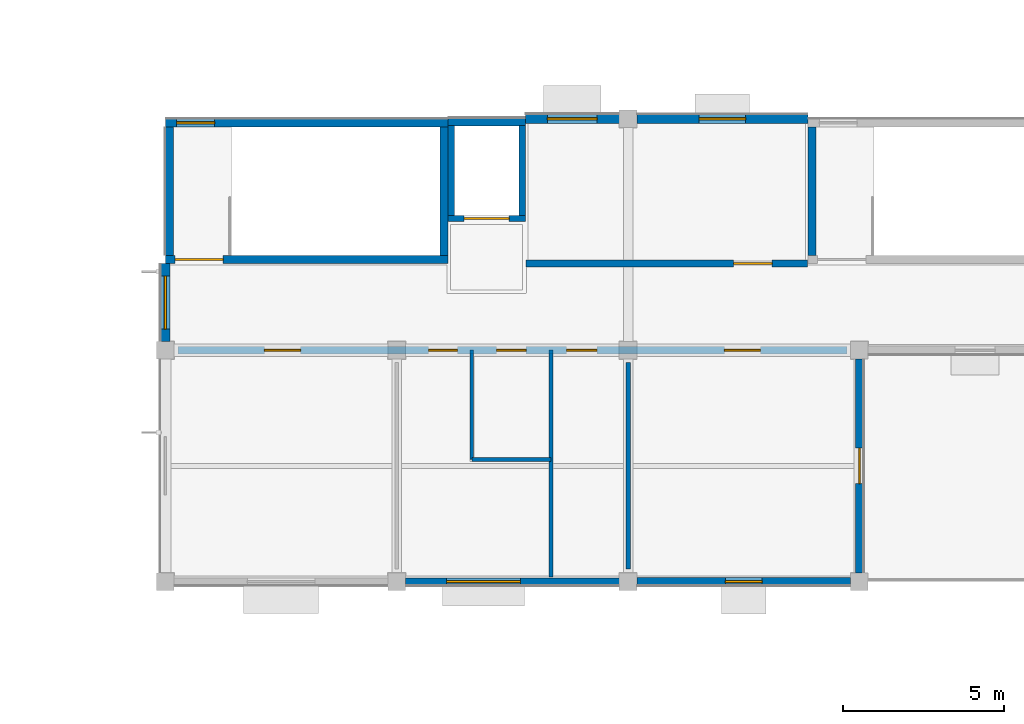
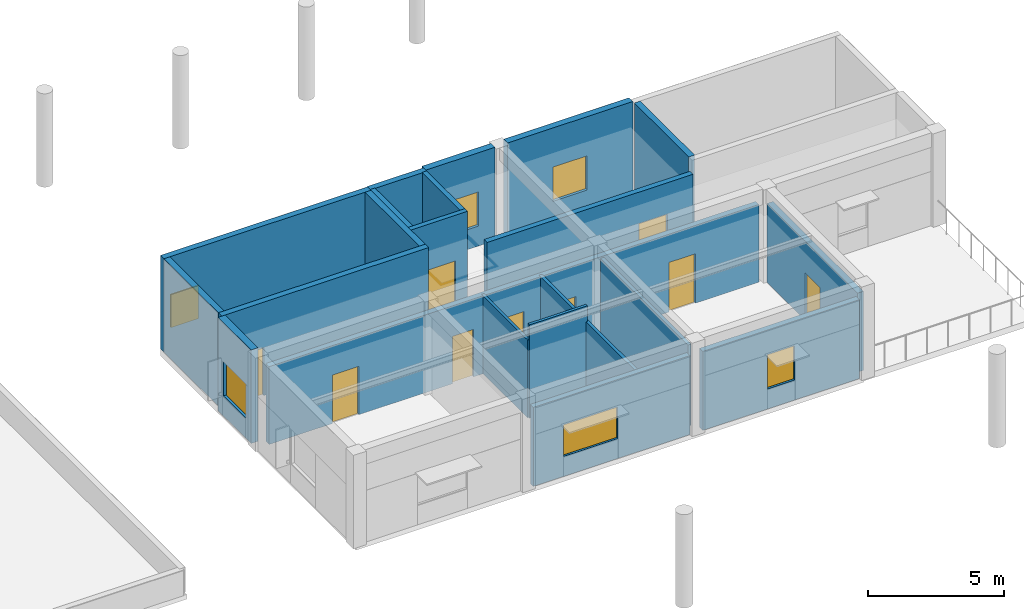
# One storey, part 12 of 29: 21 walls, 9 doors, 6 windows, 15 openings.
"""IFC4 building model written with IfcOpenShell, lengths in metres."""

from ifc_helpers import new_model, si_unit, direction, frame, frame_2d, origin, place, context, subcontext, project, spatial, rectangle, extrude, material, layer, layer_set, type_object, element, fill, save


model = new_model("IFC4")

# Units and contexts
model_context = context("Model", 3, precision=1e-05, world=origin(), true_north=direction((0.0, 1.0)))
body_context = subcontext(model_context, "Body", "Model", "MODEL_VIEW")
ifc_project = project(units=[si_unit("LENGTHUNIT", "METRE"), si_unit("AREAUNIT", "SQUARE_METRE"), si_unit("VOLUMEUNIT", "CUBIC_METRE"), si_unit("PLANEANGLEUNIT", "RADIAN"), si_unit("MASSUNIT", "GRAM", prefix="KILO")], contexts=[model_context])

# Site, building, storey
site_placement = place(None, origin())
site = spatial("IfcSite", under=ifc_project, at=site_placement, CompositionType="ELEMENT")
building_placement = place(site_placement, origin())
building = spatial("IfcBuilding", under=site, at=building_placement, Name="Namkhue Oval Health Centre", CompositionType="ELEMENT")
storey_placement = place(building_placement, frame((0.0, 0.0, 18.0)))
storey = spatial("IfcBuildingStorey", under=building, at=storey_placement, Name="L04", CompositionType="ELEMENT", Elevation=18.0)

# Wall, opening, window
ifc_material_1 = material(Name="Autoclaved aerated concrete blockwork M7.5", Category="masonry")
ifc_layer_1 = layer(ifc_material_1, 0.22998046875)
ifc_layer_set_1 = layer_set([ifc_layer_1], Name="Autoclaved aerated concrete blockwork M7.5")
wall_type_1 = type_object("IfcWallType", Name="EXTERIOR ENVELOPE WALL 230", PredefinedType="STANDARD", material=ifc_layer_set_1)
wall_1_placement = place(storey_placement, frame((101.071044921875, 14.39990234375, 0.0), z_axis=(0.0, 0.0, 1.0), x_axis=(1.0, 0.0, 0.0)))
wall_1 = element("IfcWall", 1, at=wall_1_placement, inside=storey, type_object=wall_type_1, Name="Volume V5 L04 Exterior Envelope Wall 150", PredefinedType="STANDARD", context=body_context, shape_type="SweptSolid", body=[
    extrude(rectangle(XDim=6.657958984375, YDim=0.22998046875, at=frame_2d((3.3291015625, 0.0))), origin(), (0.0, 0.0, 1.0), 3.550048828125),
])
opening_1_placement = place(wall_1_placement, frame((1.279052734375, 0.0, 0.89990234375)))
opening_1 = element("IfcOpeningElement", 2, at=opening_1_placement, cuts=wall_1, Name="Opening WN-20", PredefinedType="OPENING", context=body_context, shape_type="SweptSolid", body=[
    extrude(rectangle(XDim=2.300048828125, YDim=1.419921875, at=frame_2d((1.14990234375, 0.7099609375))), frame((0.0, 0.125, 0.0), z_axis=(0.0, -1.0, 0.0), x_axis=(1.0, 0.0, 0.0)), (0.0, 0.0, 1.0), 0.25),
])
ifc_material_2 = material(Name="Thermally broken low-E laminated double glazing", Category="glass")
window_type_1 = type_object("IfcWindowType", Name="EXTERIOR WINDOW 2300X1420", PartitioningType="SINGLE_PANEL", PredefinedType="WINDOW", material=ifc_material_2)
window_1_placement = place(opening_1_placement, origin())
window_1 = element("IfcWindow", 3, at=window_1_placement, inside=storey, type_object=window_type_1, Name="Volume V5 L04 Exterior Window 110", OverallHeight=1.419921875, OverallWidth=2.300048828125, PartitioningType="SINGLE_PANEL", PredefinedType="WINDOW", context=body_context, shape_type="SweptSolid", body=[
    extrude(rectangle(XDim=2.300048828125, YDim=1.419921875, at=frame_2d((1.14990234375, 0.7099609375))), frame((0.0, 0.030029296875, 0.0), z_axis=(0.0, -1.0, 0.0), x_axis=(1.0, 0.0, 0.0)), (0.0, 0.0, 1.0), 0.06005859375),
])
fill(opening_1, window_1)

ifc_layer_2 = layer(ifc_material_1, 0.239990234375)
ifc_layer_set_2 = layer_set([ifc_layer_2], Name="Autoclaved aerated concrete blockwork M7.5")
wall_type_2 = type_object("IfcWallType", Name="EXTERIOR ENVELOPE WALL 240", PredefinedType="STANDARD", material=ifc_layer_set_2)
wall_2_placement = place(storey_placement, frame((108.27099609375, 14.39990234375, 0.0), z_axis=(0.0, 0.0, 1.0), x_axis=(1.0, 0.0, 0.0)))
wall_2 = element("IfcWall", 4, at=wall_2_placement, inside=storey, type_object=wall_type_2, Name="Volume V5 L04 Exterior Envelope Wall 151", PredefinedType="STANDARD", context=body_context, shape_type="SweptSolid", body=[
    extrude(rectangle(XDim=6.657958984375, YDim=0.239990234375, at=frame_2d((3.3291015625, 0.0))), origin(), (0.0, 0.0, 1.0), 3.550048828125),
])
opening_2_placement = place(wall_2_placement, frame((2.75390625, 0.0, 0.89990234375)))
opening_2 = element("IfcOpeningElement", 5, at=opening_2_placement, cuts=wall_2, Name="Opening WN-21", PredefinedType="OPENING", context=body_context, shape_type="SweptSolid", body=[
    extrude(rectangle(XDim=1.14990234375, YDim=1.5400390625, at=frame_2d((0.574951171875, 0.77001953125))), frame((0.0, 0.1298828125, 0.0), z_axis=(0.0, -1.0, 0.0), x_axis=(1.0, 0.0, 0.0)), (0.0, 0.0, 1.0), 0.260009765625),
])
window_type_2 = type_object("IfcWindowType", Name="EXTERIOR WINDOW 1150X1540", PartitioningType="SINGLE_PANEL", PredefinedType="WINDOW", material=ifc_material_2)
window_2_placement = place(opening_2_placement, origin())
window_2 = element("IfcWindow", 6, at=window_2_placement, inside=storey, type_object=window_type_2, Name="Volume V5 L04 Exterior Window 111", OverallHeight=1.5400390625, OverallWidth=1.14990234375, PartitioningType="SINGLE_PANEL", PredefinedType="WINDOW", context=body_context, shape_type="SweptSolid", body=[
    extrude(rectangle(XDim=1.14990234375, YDim=1.5400390625, at=frame_2d((0.574951171875, 0.77001953125))), frame((0.0, 0.030029296875, 0.0), z_axis=(0.0, -1.0, 0.0), x_axis=(1.0, 0.0, 0.0)), (0.0, 0.0, 1.0), 0.06005859375),
])
fill(opening_2, window_2)

# Wall, opening, door
ifc_layer_3 = layer(ifc_material_1, 0.25)
ifc_layer_set_3 = layer_set([ifc_layer_3], Name="Autoclaved aerated concrete blockwork M7.5")
wall_type_3 = type_object("IfcWallType", Name="EXTERIOR ENVELOPE WALL 250", PredefinedType="STANDARD", material=ifc_layer_set_3)
wall_3_placement = place(storey_placement, frame((115.199951171875, 14.6708984375, 0.0), z_axis=(0.0, 0.0, 1.0), x_axis=(0.0, 1.0, 0.0)))
wall_3 = element("IfcWall", 7, at=wall_3_placement, inside=storey, type_object=wall_type_3, Name="Volume V5 L04 Exterior Envelope Wall 152", PredefinedType="STANDARD", context=body_context, shape_type="SweptSolid", body=[
    extrude(rectangle(XDim=6.658203125, YDim=0.25, at=frame_2d((3.3291015625, 0.0))), origin(), (0.0, 0.0, 1.0), 3.550048828125),
])
opening_3_placement = place(wall_3_placement, frame((2.779052734375, 0.0, 0.0)))
opening_3 = element("IfcOpeningElement", 8, at=opening_3_placement, cuts=wall_3, Name="Opening TD-06", PredefinedType="OPENING", context=body_context, shape_type="SweptSolid", body=[
    extrude(rectangle(XDim=1.10009765625, YDim=2.1201171875, at=frame_2d((0.550048828125, 1.06005859375))), frame((0.0, 0.135009765625, 0.0), z_axis=(0.0, -1.0, 0.0), x_axis=(1.0, 0.0, 0.0)), (0.0, 0.0, 1.0), 0.27001953125),
])
ifc_material_3 = material(Name="Anodised aluminium glazed entrance door", Category="aluminium")
door_type_1 = type_object("IfcDoorType", Name="TERRACE DOOR 1100X2120", OperationType="NOTDEFINED", PredefinedType="DOOR", material=ifc_material_3)
door_1_placement = place(opening_3_placement, frame((1.10009765625, 0.0, 0.0), z_axis=(0.0, 0.0, 1.0), x_axis=(-1.0, 0.0, 0.0)))
door_1 = element("IfcDoor", 9, at=door_1_placement, inside=storey, type_object=door_type_1, Name="Volume V5 L04 Roof Terrace Door 13", OperationType="SINGLE_SWING_RIGHT", OverallHeight=2.1201171875, OverallWidth=1.10009765625, PredefinedType="DOOR", context=body_context, shape_type="SweptSolid", body=[
    extrude(rectangle(XDim=1.10009765625, YDim=2.1201171875, at=frame_2d((0.550048828125, 1.06005859375))), frame((0.0, 0.02490234375, 0.0), z_axis=(0.0, -1.0, 0.0), x_axis=(1.0, 0.0, 0.0)), (0.0, 0.0, 1.0), 0.050048828125),
])
fill(opening_3, door_1)

# Wall, opening, window
ifc_layer_4 = layer(ifc_material_1, 0.280029296875)
ifc_layer_set_4 = layer_set([ifc_layer_4], Name="Autoclaved aerated concrete blockwork M7.5")
wall_type_4 = type_object("IfcWallType", Name="EXTERIOR ENVELOPE WALL 280", PredefinedType="STANDARD", material=ifc_layer_set_4)
wall_4_placement = place(storey_placement, frame((113.597900390625, 28.800048828125, 0.0), z_axis=(0.0, 0.0, 1.0), x_axis=(-1.0, 0.0, 0.0)))
wall_4 = element("IfcWall", 10, at=wall_4_placement, inside=storey, type_object=wall_type_4, Name="Volume V5 L04 Exterior Envelope Wall 155", PredefinedType="STANDARD", context=body_context, shape_type="SweptSolid", body=[
    extrude(rectangle(XDim=5.326904296875, YDim=0.280029296875, at=frame_2d((2.66357421875, 0.0))), origin(), (0.0, 0.0, 1.0), 4.199951171875),
])
opening_4_placement = place(wall_4_placement, frame((1.9384765625, 0.0, 0.89990234375)))
opening_4 = element("IfcOpeningElement", 11, at=opening_4_placement, cuts=wall_4, Name="Opening WN-24", PredefinedType="OPENING", context=body_context, shape_type="SweptSolid", body=[
    extrude(rectangle(XDim=1.449951171875, YDim=1.5400390625, at=frame_2d((0.72509765625, 0.77001953125))), frame((0.0, 0.14990234375, 0.0), z_axis=(0.0, -1.0, 0.0), x_axis=(1.0, 0.0, 0.0)), (0.0, 0.0, 1.0), 0.300048828125),
])
window_type_3 = type_object("IfcWindowType", Name="EXTERIOR WINDOW 1450X1540", PartitioningType="SINGLE_PANEL", PredefinedType="WINDOW", material=ifc_material_2)
window_3_placement = place(opening_4_placement, origin())
window_3 = element("IfcWindow", 12, at=window_3_placement, inside=storey, type_object=window_type_3, Name="Volume V5 L04 Exterior Window 114", OverallHeight=1.5400390625, OverallWidth=1.449951171875, PartitioningType="SINGLE_PANEL", PredefinedType="WINDOW", context=body_context, shape_type="SweptSolid", body=[
    extrude(rectangle(XDim=1.449951171875, YDim=1.5400390625, at=frame_2d((0.72509765625, 0.77001953125))), frame((0.0, 0.030029296875, 0.0), z_axis=(0.0, -1.0, 0.0), x_axis=(1.0, 0.0, 0.0)), (0.0, 0.0, 1.0), 0.06005859375),
])
fill(opening_4, window_3)

ifc_layer_5 = layer(ifc_material_1, 0.2900390625)
ifc_layer_set_5 = layer_set([ifc_layer_5], Name="Autoclaved aerated concrete blockwork M7.5")
wall_type_5 = type_object("IfcWallType", Name="EXTERIOR ENVELOPE WALL 290", PredefinedType="STANDARD", material=ifc_layer_set_5)
wall_5_placement = place(storey_placement, frame((107.72900390625, 28.800048828125, 0.0), z_axis=(0.0, 0.0, 1.0), x_axis=(-1.0, 0.0, 0.0)))
wall_5 = element("IfcWall", 13, at=wall_5_placement, inside=storey, type_object=wall_type_5, Name="Volume V5 L04 Exterior Envelope Wall 156", PredefinedType="STANDARD", context=body_context, shape_type="SweptSolid", body=[
    extrude(rectangle(XDim=2.927001953125, YDim=0.2900390625, at=frame_2d((1.46337890625, 0.0))), origin(), (0.0, 0.0, 1.0), 4.199951171875),
])
opening_5_placement = place(wall_5_placement, frame((0.6884765625, 0.0, 0.89990234375)))
opening_5 = element("IfcOpeningElement", 14, at=opening_5_placement, cuts=wall_5, Name="Opening WN-25", PredefinedType="OPENING", context=body_context, shape_type="SweptSolid", body=[
    extrude(rectangle(XDim=1.550048828125, YDim=1.5400390625, at=frame_2d((0.77490234375, 0.77001953125))), frame((0.0, 0.155029296875, 0.0), z_axis=(0.0, -1.0, 0.0), x_axis=(1.0, 0.0, 0.0)), (0.0, 0.0, 1.0), 0.31005859375),
])
window_type_4 = type_object("IfcWindowType", Name="EXTERIOR WINDOW 1550X1540", PartitioningType="SINGLE_PANEL", PredefinedType="WINDOW", material=ifc_material_2)
window_4_placement = place(opening_5_placement, origin())
window_4 = element("IfcWindow", 15, at=window_4_placement, inside=storey, type_object=window_type_4, Name="Volume V5 L04 Exterior Window 115", OverallHeight=1.5400390625, OverallWidth=1.550048828125, PartitioningType="SINGLE_PANEL", PredefinedType="WINDOW", context=body_context, shape_type="SweptSolid", body=[
    extrude(rectangle(XDim=1.550048828125, YDim=1.5400390625, at=frame_2d((0.77490234375, 0.77001953125))), frame((0.0, 0.030029296875, 0.0), z_axis=(0.0, -1.0, 0.0), x_axis=(1.0, 0.0, 0.0)), (0.0, 0.0, 1.0), 0.06005859375),
])
fill(opening_5, window_4)

ifc_layer_6 = layer(ifc_material_1, 0.300048828125)
ifc_layer_set_6 = layer_set([ifc_layer_6], Name="Autoclaved aerated concrete blockwork M7.5")
wall_type_6 = type_object("IfcWallType", Name="EXTERIOR ENVELOPE WALL 300", PredefinedType="STANDARD", material=ifc_layer_set_6)
wall_6_placement = place(storey_placement, frame((93.60009765625, 24.298095703125, 0.0), z_axis=(0.0, 0.0, 1.0), x_axis=(0.0, -1.0, 0.0)))
wall_6 = element("IfcWall", 16, at=wall_6_placement, inside=storey, type_object=wall_type_6, Name="Volume V5 L04 Exterior Envelope Wall 157", PredefinedType="STANDARD", context=body_context, shape_type="SweptSolid", body=[
    extrude(rectangle(XDim=2.427001953125, YDim=0.300048828125, at=frame_2d((1.21337890625, 0.0))), origin(), (0.0, 0.0, 1.0), 4.199951171875),
])
opening_6_placement = place(wall_6_placement, frame((0.388427734375, 0.0, 0.89990234375)))
opening_6 = element("IfcOpeningElement", 17, at=opening_6_placement, cuts=wall_6, Name="Opening WN-26", PredefinedType="OPENING", context=body_context, shape_type="SweptSolid", body=[
    extrude(rectangle(XDim=1.64990234375, YDim=1.5400390625, at=frame_2d((0.824951171875, 0.77001953125))), frame((0.0, 0.159912109375, 0.0), z_axis=(0.0, -1.0, 0.0), x_axis=(1.0, 0.0, 0.0)), (0.0, 0.0, 1.0), 0.320068359375),
])
window_type_5 = type_object("IfcWindowType", Name="EXTERIOR WINDOW 1650X1540", PartitioningType="SINGLE_PANEL", PredefinedType="WINDOW", material=ifc_material_2)
window_5_placement = place(opening_6_placement, origin())
window_5 = element("IfcWindow", 18, at=window_5_placement, inside=storey, type_object=window_type_5, Name="Volume V5 L04 Exterior Window 116", OverallHeight=1.5400390625, OverallWidth=1.64990234375, PartitioningType="SINGLE_PANEL", PredefinedType="WINDOW", context=body_context, shape_type="SweptSolid", body=[
    extrude(rectangle(XDim=1.64990234375, YDim=1.5400390625, at=frame_2d((0.824951171875, 0.77001953125))), frame((0.0, 0.030029296875, 0.0), z_axis=(0.0, -1.0, 0.0), x_axis=(1.0, 0.0, 0.0)), (0.0, 0.0, 1.0), 0.06005859375),
])
fill(opening_6, window_5)

# Wall, opening, door
ifc_material_4 = material(Name="Lead-lined barium plasterboard radiation partition", Category="gypsum")
ifc_layer_7 = layer(ifc_material_4, 0.22509765625)
ifc_layer_set_7 = layer_set([ifc_layer_7], Name="Lead-lined barium plasterboard radiation partition")
wall_type_7 = type_object("IfcWallType", Name="FIRE PARTITION WALL 225", PredefinedType="PARTITIONING", material=ifc_layer_set_7)
wall_7_placement = place(storey_placement, frame((104.820068359375, 24.300048828125, 0.0), z_axis=(0.0, 0.0, 1.0), x_axis=(1.0, 0.0, 0.0)))
wall_7 = element("IfcWall", 19, at=wall_7_placement, inside=storey, type_object=wall_type_7, Name="Volume V5 L04 Clinical Partition Wall 251", PredefinedType="PARTITIONING", context=body_context, shape_type="SweptSolid", body=[
    extrude(rectangle(XDim=8.760009765625, YDim=0.22509765625, at=frame_2d((4.3798828125, 0.0))), origin(), (0.0, 0.0, 1.0), 3.64990234375),
])
opening_7_placement = place(wall_7_placement, frame((6.465087890625, 0.0, 0.0)))
opening_7 = element("IfcOpeningElement", 20, at=opening_7_placement, cuts=wall_7, Name="Opening CD-22", PredefinedType="OPENING", context=body_context, shape_type="SweptSolid", body=[
    extrude(rectangle(XDim=1.199951171875, YDim=2.22998046875, at=frame_2d((0.60009765625, 1.114990234375))), frame((0.0, 0.12255859375, 0.0), z_axis=(0.0, -1.0, 0.0), x_axis=(1.0, 0.0, 0.0)), (0.0, 0.0, 1.0), 0.2451171875),
])
ifc_material_5 = material(Name="High-pressure laminate timber clinical door", Category="wood")
door_type_2 = type_object("IfcDoorType", Name="CLINICAL DOOR 1200X2230", OperationType="NOTDEFINED", PredefinedType="DOOR", material=ifc_material_5)
door_2_placement = place(opening_7_placement, origin())
door_2 = element("IfcDoor", 21, at=door_2_placement, inside=storey, type_object=door_type_2, Name="Volume V5 L04 East Terrace Group Therapy Lounge Door 218", OperationType="SINGLE_SWING_RIGHT", OverallHeight=2.22998046875, OverallWidth=1.199951171875, PredefinedType="DOOR", context=body_context, shape_type="SweptSolid", body=[
    extrude(rectangle(XDim=1.199951171875, YDim=2.22998046875, at=frame_2d((0.60009765625, 1.114990234375))), frame((0.0, 0.02490234375, 0.0), z_axis=(0.0, -1.0, 0.0), x_axis=(1.0, 0.0, 0.0)), (0.0, 0.0, 1.0), 0.050048828125),
])
fill(opening_7, door_2)

# Wall, openings, doors
ifc_layer_8 = layer(ifc_material_4, 0.235107421875)
ifc_layer_set_8 = layer_set([ifc_layer_8], Name="Lead-lined barium plasterboard radiation partition")
wall_type_8 = type_object("IfcWallType", Name="FIRE PARTITION WALL 235", PredefinedType="PARTITIONING", material=ifc_layer_set_8)
wall_8_placement = place(storey_placement, frame((93.989013671875, 21.60009765625, 0.0), z_axis=(0.0, 0.0, 1.0), x_axis=(1.0, 0.0, 0.0)))
wall_8 = element("IfcWall", 22, at=wall_8_placement, inside=storey, type_object=wall_type_8, Name="Volume V5 L04 Clinical Partition Wall 245", PredefinedType="PARTITIONING", context=body_context, shape_type="SweptSolid", body=[
    extrude(rectangle(XDim=20.822021484375, YDim=0.235107421875, at=frame_2d((10.4111328125, 0.0))), origin(), (0.0, 0.0, 1.0), 3.5),
])
opening_8_placement = place(wall_8_placement, frame((2.689208984375, 0.0, 0.0)))
opening_8 = element("IfcOpeningElement", 23, at=opening_8_placement, cuts=wall_8, Name="Opening CD-17", PredefinedType="OPENING", context=body_context, shape_type="SweptSolid", body=[
    extrude(rectangle(XDim=1.1298828125, YDim=2.179931640625, at=frame_2d((0.56494140625, 1.08984375))), frame((0.0, 0.12744140625, 0.0), z_axis=(0.0, -1.0, 0.0), x_axis=(1.0, 0.0, 0.0)), (0.0, 0.0, 1.0), 0.255126953125),
])
opening_9_placement = place(wall_8_placement, frame((7.801025390625, 0.0, 0.0)))
opening_9 = element("IfcOpeningElement", 24, at=opening_9_placement, cuts=wall_8, Name="Opening CD-07", PredefinedType="OPENING", context=body_context, shape_type="SweptSolid", body=[
    extrude(rectangle(XDim=0.89990234375, YDim=2.1298828125, at=frame_2d((0.449951171875, 1.06494140625))), frame((0.0, 0.12744140625, 0.0), z_axis=(0.0, -1.0, 0.0), x_axis=(1.0, 0.0, 0.0)), (0.0, 0.0, 1.0), 0.255126953125),
])
opening_10_placement = place(wall_8_placement, frame((9.921142578125, 0.0, 0.0)))
opening_10 = element("IfcOpeningElement", 25, at=opening_10_placement, cuts=wall_8, Name="Opening CD-13", PredefinedType="OPENING", context=body_context, shape_type="SweptSolid", body=[
    extrude(rectangle(XDim=0.919921875, YDim=2.179931640625, at=frame_2d((0.4599609375, 1.08984375))), frame((0.0, 0.12744140625, 0.0), z_axis=(0.0, -1.0, 0.0), x_axis=(1.0, 0.0, 0.0)), (0.0, 0.0, 1.0), 0.255126953125),
])
opening_11_placement = place(wall_8_placement, frame((12.10107421875, 0.0, 0.0)))
opening_11 = element("IfcOpeningElement", 26, at=opening_11_placement, cuts=wall_8, Name="Opening CD-02", PredefinedType="OPENING", context=body_context, shape_type="SweptSolid", body=[
    extrude(rectangle(XDim=0.93994140625, YDim=2.080078125, at=frame_2d((0.469970703125, 1.0400390625))), frame((0.0, 0.12744140625, 0.0), z_axis=(0.0, -1.0, 0.0), x_axis=(1.0, 0.0, 0.0)), (0.0, 0.0, 1.0), 0.255126953125),
])
opening_12_placement = place(wall_8_placement, frame((17.009033203125, 0.0, 0.0)))
opening_12 = element("IfcOpeningElement", 27, at=opening_12_placement, cuts=wall_8, Name="Opening CD-21", PredefinedType="OPENING", context=body_context, shape_type="SweptSolid", body=[
    extrude(rectangle(XDim=1.1201171875, YDim=2.22998046875, at=frame_2d((0.56005859375, 1.114990234375))), frame((0.0, 0.12744140625, 0.0), z_axis=(0.0, -1.0, 0.0), x_axis=(1.0, 0.0, 0.0)), (0.0, 0.0, 1.0), 0.255126953125),
])
door_type_3 = type_object("IfcDoorType", Name="CLINICAL DOOR 1120X2230", OperationType="NOTDEFINED", PredefinedType="DOOR", material=ifc_material_5)
door_3_placement = place(opening_12_placement, frame((1.1201171875, 0.0, 0.0), z_axis=(0.0, 0.0, 1.0), x_axis=(-1.0, 0.0, 0.0)))
door_3 = element("IfcDoor", 28, at=door_3_placement, inside=storey, type_object=door_type_3, Name="Volume V5 L04 Mindfulness Biofeedback Suite Door 217", OperationType="SINGLE_SWING_LEFT", OverallHeight=2.22998046875, OverallWidth=1.1201171875, PredefinedType="DOOR", context=body_context, shape_type="SweptSolid", body=[
    extrude(rectangle(XDim=1.1201171875, YDim=2.22998046875, at=frame_2d((0.56005859375, 1.114990234375))), frame((0.0, 0.02490234375, 0.0), z_axis=(0.0, -1.0, 0.0), x_axis=(1.0, 0.0, 0.0)), (0.0, 0.0, 1.0), 0.050048828125),
])
fill(opening_12, door_3)
door_type_4 = type_object("IfcDoorType", Name="CLINICAL DOOR 1130X2180", OperationType="NOTDEFINED", PredefinedType="DOOR", material=ifc_material_5)
door_4_placement = place(opening_8_placement, frame((1.1298828125, 0.0, 0.0), z_axis=(0.0, 0.0, 1.0), x_axis=(-1.0, 0.0, 0.0)))
door_4 = element("IfcDoor", 29, at=door_4_placement, inside=storey, type_object=door_type_4, Name="Volume V5 L04 Group Therapy Courtyard Room Door 213", OperationType="SINGLE_SWING_LEFT", OverallHeight=2.179931640625, OverallWidth=1.1298828125, PredefinedType="DOOR", context=body_context, shape_type="SweptSolid", body=[
    extrude(rectangle(XDim=1.1298828125, YDim=2.179931640625, at=frame_2d((0.56494140625, 1.08984375))), frame((0.0, 0.02490234375, 0.0), z_axis=(0.0, -1.0, 0.0), x_axis=(1.0, 0.0, 0.0)), (0.0, 0.0, 1.0), 0.050048828125),
])
fill(opening_8, door_4)
door_type_5 = type_object("IfcDoorType", Name="CLINICAL DOOR 900X2130", OperationType="NOTDEFINED", PredefinedType="DOOR", material=ifc_material_5)
door_5_placement = place(opening_9_placement, frame((0.89990234375, 0.0, 0.0), z_axis=(0.0, 0.0, 1.0), x_axis=(-1.0, 0.0, 0.0)))
door_5 = element("IfcDoor", 30, at=door_5_placement, inside=storey, type_object=door_type_5, Name="Volume V5 L04 Mental Health Staff Room Door 214", OperationType="SINGLE_SWING_LEFT", OverallHeight=2.1298828125, OverallWidth=0.89990234375, PredefinedType="DOOR", context=body_context, shape_type="SweptSolid", body=[
    extrude(rectangle(XDim=0.89990234375, YDim=2.1298828125, at=frame_2d((0.449951171875, 1.06494140625))), frame((0.0, 0.02490234375, 0.0), z_axis=(0.0, -1.0, 0.0), x_axis=(1.0, 0.0, 0.0)), (0.0, 0.0, 1.0), 0.050048828125),
])
fill(opening_9, door_5)
door_type_6 = type_object("IfcDoorType", Name="CLINICAL DOOR 920X2180", OperationType="NOTDEFINED", PredefinedType="DOOR", material=ifc_material_5)
door_6_placement = place(opening_10_placement, frame((0.919921875, 0.0, 0.0), z_axis=(0.0, 0.0, 1.0), x_axis=(-1.0, 0.0, 0.0)))
door_6 = element("IfcDoor", 31, at=door_6_placement, inside=storey, type_object=door_type_6, Name="Volume V5 L04 Accessible WC Door 215", OperationType="SINGLE_SWING_LEFT", OverallHeight=2.179931640625, OverallWidth=0.919921875, PredefinedType="DOOR", context=body_context, shape_type="SweptSolid", body=[
    extrude(rectangle(XDim=0.919921875, YDim=2.179931640625, at=frame_2d((0.4599609375, 1.08984375))), frame((0.0, 0.02490234375, 0.0), z_axis=(0.0, -1.0, 0.0), x_axis=(1.0, 0.0, 0.0)), (0.0, 0.0, 1.0), 0.050048828125),
])
fill(opening_10, door_6)
door_type_7 = type_object("IfcDoorType", Name="CLINICAL DOOR 940X2080", OperationType="NOTDEFINED", PredefinedType="DOOR", material=ifc_material_5)
door_7_placement = place(opening_11_placement, frame((0.93994140625, 0.0, 0.0), z_axis=(0.0, 0.0, 1.0), x_axis=(-1.0, 0.0, 0.0)))
door_7 = element("IfcDoor", 32, at=door_7_placement, inside=storey, type_object=door_type_7, Name="Volume V5 L04 Staff Washroom Door 216", OperationType="SINGLE_SWING_RIGHT", OverallHeight=2.080078125, OverallWidth=0.93994140625, PredefinedType="DOOR", context=body_context, shape_type="SweptSolid", body=[
    extrude(rectangle(XDim=0.93994140625, YDim=2.080078125, at=frame_2d((0.469970703125, 1.0400390625))), frame((0.0, 0.02490234375, 0.0), z_axis=(0.0, -1.0, 0.0), x_axis=(1.0, 0.0, 0.0)), (0.0, 0.0, 1.0), 0.050048828125),
])
fill(opening_11, door_7)

# Walls
ifc_material_6 = material(Name="Gypsum plasterboard acoustic partition", Category="gypsum")
ifc_layer_9 = layer(ifc_material_6, 0.110107421875)
ifc_layer_set_9 = layer_set([ifc_layer_9], Name="Gypsum plasterboard acoustic partition")
wall_type_9 = type_object("IfcWallType", Name="INTERIOR PARTITION WALL 110", PredefinedType="PARTITIONING", material=ifc_layer_set_9)
wall_9_placement = place(storey_placement, frame((103.139892578125, 18.199951171875, 0.0), z_axis=(0.0, 0.0, 1.0), x_axis=(0.0, 1.0, 0.0)))
element("IfcWall", 33, at=wall_9_placement, inside=storey, type_object=wall_type_9, Name="Volume V5 L04 Clinical Partition Wall 247", PredefinedType="PARTITIONING", context=body_context, shape_type="SweptSolid", body=[
    extrude(rectangle(XDim=3.400146484375, YDim=0.110107421875, at=frame_2d((1.7001953125, 0.0))), origin(), (0.0, 0.0, 1.0), 3.5),
])
ifc_layer_10 = layer(ifc_material_6, 0.1201171875)
ifc_layer_set_10 = layer_set([ifc_layer_10], Name="Gypsum plasterboard acoustic partition")
wall_type_10 = type_object("IfcWallType", Name="INTERIOR PARTITION WALL 120", PredefinedType="PARTITIONING", material=ifc_layer_set_10)
wall_10_placement = place(storey_placement, frame((103.139892578125, 18.199951171875, 0.0), z_axis=(0.0, 0.0, 1.0), x_axis=(1.0, 0.0, 0.0)))
element("IfcWall", 34, at=wall_10_placement, inside=storey, type_object=wall_type_10, Name="Volume V5 L04 Clinical Partition Wall 248", PredefinedType="PARTITIONING", context=body_context, shape_type="SweptSolid", body=[
    extrude(rectangle(XDim=2.460205078125, YDim=0.1201171875, at=frame_2d((1.22998046875, 0.0))), origin(), (0.0, 0.0, 1.0), 4.199951171875),
])
ifc_layer_11 = layer(ifc_material_6, 0.1298828125)
ifc_layer_set_11 = layer_set([ifc_layer_11], Name="Gypsum plasterboard acoustic partition")
wall_type_11 = type_object("IfcWallType", Name="INTERIOR PARTITION WALL 130", PredefinedType="PARTITIONING", material=ifc_layer_set_11)
wall_11_placement = place(storey_placement, frame((105.60009765625, 14.537109375, 0.0), z_axis=(0.0, 0.0, 1.0), x_axis=(0.0, 1.0, 0.0)))
element("IfcWall", 35, at=wall_11_placement, inside=storey, type_object=wall_type_11, Name="Volume V5 L04 Clinical Partition Wall 249", PredefinedType="PARTITIONING", context=body_context, shape_type="SweptSolid", body=[
    extrude(rectangle(XDim=7.06298828125, YDim=0.1298828125, at=frame_2d((3.531494140625, 0.0))), origin(), (0.0, 0.0, 1.0), 3.5),
])
ifc_layer_12 = layer(ifc_material_6, 0.139892578125)
ifc_layer_set_12 = layer_set([ifc_layer_12], Name="Gypsum plasterboard acoustic partition")
wall_type_12 = type_object("IfcWallType", Name="INTERIOR PARTITION WALL 140", PredefinedType="PARTITIONING", material=ifc_layer_set_12)
wall_12_placement = place(storey_placement, frame((108.0, 14.788818359375, 0.0), z_axis=(0.0, 0.0, 1.0), x_axis=(0.0, 1.0, 0.0)))
element("IfcWall", 36, at=wall_12_placement, inside=storey, type_object=wall_type_12, Name="Volume V5 L04 Clinical Partition Wall 250", PredefinedType="PARTITIONING", context=body_context, shape_type="SweptSolid", body=[
    extrude(rectangle(XDim=6.42236328125, YDim=0.139892578125, at=frame_2d((3.211181640625, 0.0))), origin(), (0.0, 0.0, 1.0), 3.64990234375),
])

# Wall, opening, window
ifc_material_7 = material(Name="Reinforced concrete C35/45 (TCVN B40)", Category="concrete")
ifc_layer_13 = layer(ifc_material_7, 0.25)
ifc_layer_set_13 = layer_set([ifc_layer_13], Name="Reinforced concrete C35/45 (TCVN B40)")
wall_type_13 = type_object("IfcWallType", Name="SHEAR CORE WALL EXT 250", PredefinedType="SHEAR", material=ifc_layer_set_13)
wall_13_placement = place(storey_placement, frame((102.39990234375, 28.675048828125, 0.0), z_axis=(0.0, 0.0, 1.0), x_axis=(-1.0, 0.0, 0.0)))
wall_13 = element("IfcWall", 37, at=wall_13_placement, inside=storey, type_object=wall_type_13, Name="Core SC-09 L04 Shear Wall N", PredefinedType="SHEAR", context=body_context, shape_type="SweptSolid", body=[
    extrude(rectangle(XDim=8.7998046875, YDim=0.25, at=frame_2d((4.39990234375, 0.0))), origin(), (0.0, 0.0, 1.0), 4.199951171875),
])
opening_13_placement = place(wall_13_placement, frame((7.27001953125, 0.0, 0.919921875)))
opening_13 = element("IfcOpeningElement", 38, at=opening_13_placement, cuts=wall_13, Name="Opening SWN-01", PredefinedType="OPENING", context=body_context, shape_type="SweptSolid", body=[
    extrude(rectangle(XDim=1.179931640625, YDim=1.47998046875, at=frame_2d((0.58984375, 0.739990234375))), frame((0.0, 0.135009765625, 0.0), z_axis=(0.0, -1.0, 0.0), x_axis=(1.0, 0.0, 0.0)), (0.0, 0.0, 1.0), 0.27001953125),
])
ifc_material_8 = material(Name="Fire-rated insulated safety double glazing", Category="glass")
window_type_6 = type_object("IfcWindowType", Name="EXTERIOR WINDOW STAIRWELL 1180X1480", PartitioningType="SINGLE_PANEL", PredefinedType="WINDOW", material=ifc_material_8)
window_6_placement = place(opening_13_placement, origin())
window_6 = element("IfcWindow", 39, at=window_6_placement, inside=storey, type_object=window_type_6, Name="Stair ST-09 L04 Stairwell Daylight Window", OverallHeight=1.47998046875, OverallWidth=1.179931640625, PartitioningType="SINGLE_PANEL", PredefinedType="WINDOW", context=body_context, shape_type="SweptSolid", body=[
    extrude(rectangle(XDim=1.179931640625, YDim=1.47998046875, at=frame_2d((0.58984375, 0.739990234375))), frame((0.0, 0.030029296875, 0.0), z_axis=(0.0, -1.0, 0.0), x_axis=(1.0, 0.0, 0.0)), (0.0, 0.0, 1.0), 0.06005859375),
])
fill(opening_13, window_6)

# Walls
wall_14_placement = place(storey_placement, frame((93.72509765625, 28.550048828125, 0.0), z_axis=(0.0, 0.0, 1.0), x_axis=(0.0, -1.0, 0.0)))
element("IfcWall", 40, at=wall_14_placement, inside=storey, type_object=wall_type_13, Name="Core SC-09 L04 Shear Wall W", PredefinedType="SHEAR", context=body_context, shape_type="SweptSolid", body=[
    extrude(rectangle(XDim=4.0, YDim=0.25, at=frame_2d((2.0, 0.0))), origin(), (0.0, 0.0, 1.0), 4.199951171875),
])
wall_15_placement = place(storey_placement, frame((104.800048828125, 28.699951171875, 0.0), z_axis=(0.0, 0.0, 1.0), x_axis=(-1.0, 0.0, 0.0)))
element("IfcWall", 41, at=wall_15_placement, inside=storey, type_object=wall_type_13, Name="Lift LF-06 L04 Shaft Wall N", PredefinedType="SHEAR", context=body_context, shape_type="SweptSolid", body=[
    extrude(rectangle(XDim=2.400146484375, YDim=0.25, at=frame_2d((1.2001953125, 0.0))), origin(), (0.0, 0.0, 1.0), 4.199951171875),
])

# Wall, opening, door
ifc_layer_14 = layer(ifc_material_7, 0.199951171875)
ifc_layer_set_14 = layer_set([ifc_layer_14], Name="Reinforced concrete C35/45 (TCVN B40)")
wall_type_14 = type_object("IfcWallType", Name="SHEAR CORE WALL INT 200", PredefinedType="SHEAR", material=ifc_layer_set_14)
wall_16_placement = place(storey_placement, frame((102.39990234375, 25.699951171875, 0.0), z_axis=(0.0, 0.0, 1.0), x_axis=(1.0, 0.0, 0.0)))
wall_16 = element("IfcWall", 42, at=wall_16_placement, inside=storey, type_object=wall_type_14, Name="Lift LF-06 L04 Shaft Wall S", PredefinedType="SHEAR", context=body_context, shape_type="SweptSolid", body=[
    extrude(rectangle(XDim=2.400146484375, YDim=0.199951171875, at=frame_2d((1.2001953125, 0.0))), origin(), (0.0, 0.0, 1.0), 4.199951171875),
])
opening_14_placement = place(wall_16_placement, frame((0.5, 0.0, 0.0)))
opening_14 = element("IfcOpeningElement", 43, at=opening_14_placement, cuts=wall_16, Name="Opening LD-01", PredefinedType="OPENING", context=body_context, shape_type="SweptSolid", body=[
    extrude(rectangle(XDim=1.39990234375, YDim=2.14990234375, at=frame_2d((0.699951171875, 1.074951171875))), frame((0.0, 0.10986328125, 0.0), z_axis=(0.0, -1.0, 0.0), x_axis=(1.0, 0.0, 0.0)), (0.0, 0.0, 1.0), 0.219970703125),
])
ifc_material_9 = material(Name="Powder-coated steel fire door assembly", Category="steel")
door_type_8 = type_object("IfcDoorType", Name="LIFT LANDING DOOR STRETCHER 1400X2150", OperationType="DOUBLE_DOOR_SLIDING", PredefinedType="DOOR", material=ifc_material_9)
door_8_placement = place(opening_14_placement, frame((1.39990234375, 0.0, 0.0), z_axis=(0.0, 0.0, 1.0), x_axis=(-1.0, 0.0, 0.0)))
door_8 = element("IfcDoor", 44, at=door_8_placement, inside=storey, type_object=door_type_8, Name="Lift LF-06 L04 Sliding Landing Door", OperationType="DOUBLE_DOOR_SLIDING", OverallHeight=2.14990234375, OverallWidth=1.39990234375, PredefinedType="DOOR", context=body_context, shape_type="SweptSolid", body=[
    extrude(rectangle(XDim=1.39990234375, YDim=2.14990234375, at=frame_2d((0.699951171875, 1.074951171875))), frame((0.0, 0.02490234375, 0.0), z_axis=(0.0, -1.0, 0.0), x_axis=(1.0, 0.0, 0.0)), (0.0, 0.0, 1.0), 0.050048828125),
])
fill(opening_14, door_8)

# Walls
for number, where, z_axis, x_axis, name in (
    (45, (104.699951171875, 25.800048828125, 0.0), (0.0, 0.0, 1.0), (0.0, 1.0, 0.0), "Lift LF-06 L04 Shaft Wall E"),
    (46, (102.5, 28.60009765625, 0.0), (0.0, 0.0, 1.0), (0.0, -1.0, 0.0), "Lift LF-06 L04 Shaft Wall W"),
):
    element("IfcWall", number, at=place(storey_placement, frame(where, z_axis=z_axis, x_axis=x_axis)), inside=storey, type_object=wall_type_14, Name=name, PredefinedType="SHEAR", context=body_context, shape_type="SweptSolid", body=[
        extrude(rectangle(XDim=2.800048828125, YDim=0.199951171875, at=frame_2d((1.39990234375, 0.0))), origin(), (0.0, 0.0, 1.0), 4.199951171875),
    ])

# Wall, opening, door
ifc_layer_15 = layer(ifc_material_7, 0.25)
ifc_layer_set_15 = layer_set([ifc_layer_15], Name="Reinforced concrete C35/45 (TCVN B40)")
wall_type_15 = type_object("IfcWallType", Name="SHEAR CORE WALL INT 250", PredefinedType="SHEAR", material=ifc_layer_set_15)
wall_17_placement = place(storey_placement, frame((93.60009765625, 24.425048828125, 0.0), z_axis=(0.0, 0.0, 1.0), x_axis=(1.0, 0.0, 0.0)))
wall_17 = element("IfcWall", 47, at=wall_17_placement, inside=storey, type_object=wall_type_15, Name="Core SC-09 L04 Shear Wall S", PredefinedType="SHEAR", context=body_context, shape_type="SweptSolid", body=[
    extrude(rectangle(XDim=8.7998046875, YDim=0.25, at=frame_2d((4.39990234375, 0.0))), origin(), (0.0, 0.0, 1.0), 4.199951171875),
])
opening_15_placement = place(wall_17_placement, frame((0.300048828125, 0.0, 0.0)))
opening_15 = element("IfcOpeningElement", 48, at=opening_15_placement, cuts=wall_17, Name="Opening SD-I1", PredefinedType="OPENING", context=body_context, shape_type="SweptSolid", body=[
    extrude(rectangle(XDim=1.5, YDim=2.14990234375, at=frame_2d((0.75, 1.074951171875))), frame((0.0, 0.135009765625, 0.0), z_axis=(0.0, -1.0, 0.0), x_axis=(1.0, 0.0, 0.0)), (0.0, 0.0, 1.0), 0.27001953125),
])
door_type_9 = type_object("IfcDoorType", Name="CLINICAL DOOR STAIR CORE 1500X2150", OperationType="DOUBLE_DOOR_SINGLE_SWING", PredefinedType="DOOR", material=ifc_material_9)
door_9_placement = place(opening_15_placement, origin())
door_9 = element("IfcDoor", 49, at=door_9_placement, inside=storey, type_object=door_type_9, Name="Stair ST-09 L04 Stair Enclosure Fire Door", OperationType="DOUBLE_DOOR_SINGLE_SWING", OverallHeight=2.14990234375, OverallWidth=1.5, PredefinedType="DOOR", context=body_context, shape_type="SweptSolid", body=[
    extrude(rectangle(XDim=1.5, YDim=2.14990234375, at=frame_2d((0.75, 1.074951171875))), frame((0.0, 0.02490234375, 0.0), z_axis=(0.0, -1.0, 0.0), x_axis=(1.0, 0.0, 0.0)), (0.0, 0.0, 1.0), 0.050048828125),
])
fill(opening_15, door_9)

# Walls
for number, where, z_axis, x_axis, name in (
    (50, (102.27490234375, 24.550048828125, 0.0), (0.0, 0.0, 1.0), (0.0, 1.0, 0.0), "Core SC-09 L04 Shear Wall E"),
    (51, (113.72509765625, 28.550048828125, 0.0), (0.0, 0.0, 1.0), (0.0, -1.0, 0.0), "Core SC-10 L04 Shear Wall W"),
):
    element("IfcWall", number, at=place(storey_placement, frame(where, z_axis=z_axis, x_axis=x_axis)), inside=storey, type_object=wall_type_15, Name=name, PredefinedType="SHEAR", context=body_context, shape_type="SweptSolid", body=[
        extrude(rectangle(XDim=4.0, YDim=0.25, at=frame_2d((2.0, 0.0))), origin(), (0.0, 0.0, 1.0), 4.199951171875),
    ])

save(model, "model.ifc")
